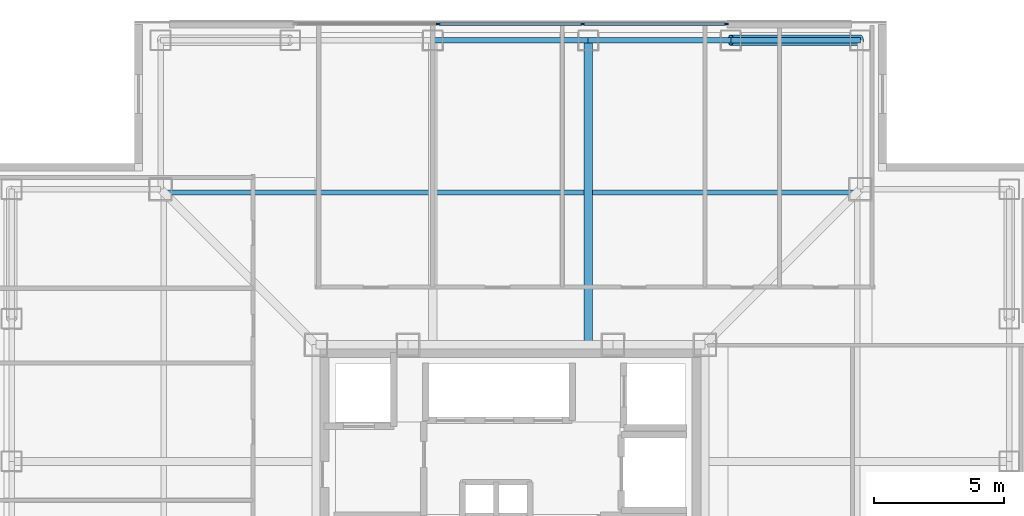
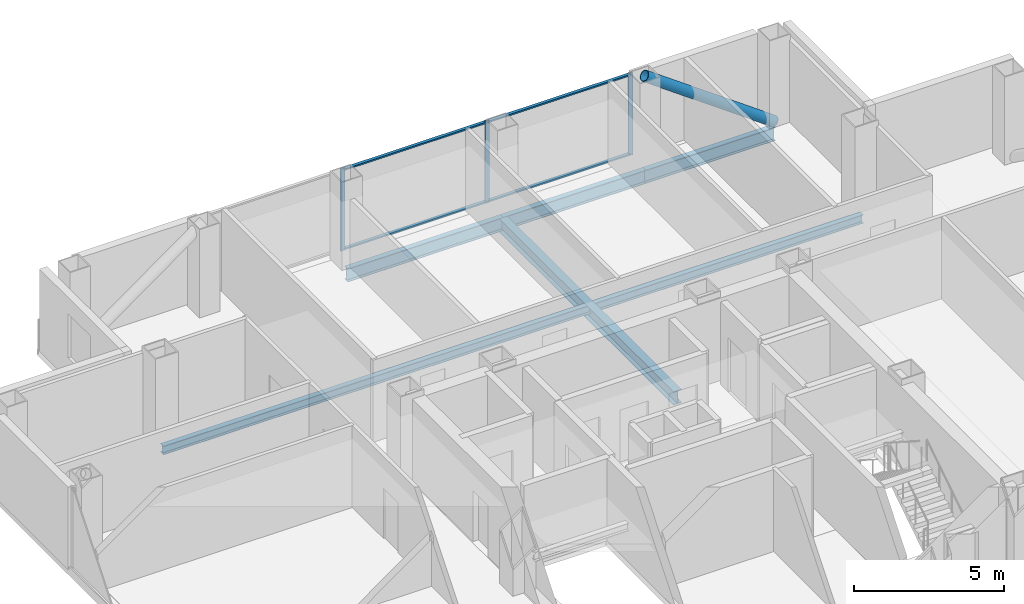
# One storey, part 8 of 17: 8 members, 5 beams, 1 element without a shape of its own.
"""IFC4 building model written with IfcOpenShell, lengths in metres."""

import ifcopenshell
import ifcopenshell.guid

model = None  # the IFC model being written
_history = None  # IfcOwnerHistory: only IFC2X3 demands one
_inside = {}  # id of a spatial element -> (the spatial element, [elements in it])
_under = {}  # id of a project, library or spatial element -> (it, [spatial elements below it])
_declared = {}  # id of a project -> (the project, [libraries it declares])
_typed = {}  # id of a type object -> (the type object, [elements of that type])
_made_of = {}  # id of a material, layer set ... -> (it, [elements and type objects made of it])


def new_model(schema):
    """Start an empty IFC model of exactly this schema.

    Asked for "IFC4X3", IfcOpenShell would pick the latest addendum, in which some entities
    have other attributes; the version numbers below select the first issue.
    IFC2X3 requires an IfcOwnerHistory on every rooted entity: one is made here for all.
    """
    global model, _history
    if schema == "IFC4X3":
        model = ifcopenshell.file(schema_version=(4, 3, 0, 0))
    else:
        model = ifcopenshell.file(schema=schema)
    _inside.clear()
    _under.clear()
    _declared.clear()
    _typed.clear()
    _made_of.clear()
    _history = None
    if model.schema == "IFC2X3":
        org = make("IfcOrganization", Name="unknown")
        user = make(
            "IfcPersonAndOrganization",
            ThePerson=make("IfcPerson", FamilyName="unknown"),
            TheOrganization=org,
        )
        app = make(
            "IfcApplication",
            ApplicationDeveloper=org,
            Version="unknown",
            ApplicationFullName="unknown",
            ApplicationIdentifier="unknown",
        )
        _history = make(
            "IfcOwnerHistory",
            OwningUser=user,
            OwningApplication=app,
            ChangeAction="ADDED",
            CreationDate=0,
        )
    return model


def make(cls, **values):
    """One entity of the class cls with the attributes given. An attribute that is None is left unset."""
    return model.create_entity(
        cls, **{name: value for name, value in values.items() if value is not None}
    )


def rooted(cls, **values):
    """An entity with a GlobalId (a new one), such as an element, a storey or a relation."""
    return make(cls, GlobalId=ifcopenshell.guid.new(), OwnerHistory=_history, **values)


def si_unit(unit_type, name, prefix=None):
    """IfcSIUnit, for example si_unit("LENGTHUNIT", "METRE", prefix="MILLI")."""
    return make("IfcSIUnit", UnitType=unit_type, Prefix=prefix, Name=name)


def assignment(units):
    """IfcUnitAssignment: the units of a project."""
    return None if units is None else make("IfcUnitAssignment", Units=units)


def point(xyz):
    """IfcCartesianPoint."""
    return None if xyz is None else make("IfcCartesianPoint", Coordinates=xyz)


def direction(xyz):
    """IfcDirection."""
    return None if xyz is None else make("IfcDirection", DirectionRatios=xyz)


def frame(location, z_axis=None, x_axis=None):
    """IfcAxis2Placement3D, a coordinate frame: its origin and axes. An axis left out is left unset."""
    return make(
        "IfcAxis2Placement3D",
        Location=point(location),
        Axis=direction(z_axis),
        RefDirection=direction(x_axis),
    )


def frame_2d(location, x_axis=None):
    """IfcAxis2Placement2D, a coordinate frame in the plane: its origin and x axis."""
    return make(
        "IfcAxis2Placement2D", Location=point(location), RefDirection=direction(x_axis)
    )


def origin():
    """The frame at (0, 0, 0) with its axes left unset."""
    return frame((0.0, 0.0, 0.0))


def origin_2d():
    """The frame at (0, 0) in the plane with its x axis left unset."""
    return frame_2d((0.0, 0.0))


def place(relative_to, where):
    """IfcLocalPlacement: puts the frame where relative to a parent placement (None: the world)."""
    return make(
        "IfcLocalPlacement", PlacementRelTo=relative_to, RelativePlacement=where
    )


def context(
    kind, dimensions, precision=None, world=None, true_north=None, identifier=None
):
    """IfcGeometricRepresentationContext, for example the 3D "Model" context."""
    return make(
        "IfcGeometricRepresentationContext",
        ContextIdentifier=identifier,
        ContextType=kind,
        CoordinateSpaceDimension=dimensions,
        Precision=precision,
        WorldCoordinateSystem=world,
        TrueNorth=true_north,
    )


def subcontext(parent, identifier, kind, view, scale=None):
    """IfcGeometricRepresentationSubContext, for example "Body" below "Model"."""
    return make(
        "IfcGeometricRepresentationSubContext",
        ContextIdentifier=identifier,
        ContextType=kind,
        ParentContext=parent,
        TargetScale=scale,
        TargetView=view,
    )


def project(units=None, contexts=None):
    """IfcProject with its units and contexts."""
    return rooted(
        "IfcProject",
        Name="project",
        RepresentationContexts=contexts,
        UnitsInContext=assignment(units),
    )


def spatial(cls, under=None, at=None, **own):
    """A site, building, storey or space (cls), placed at a placement, below another one or the project."""
    s = rooted(cls, ObjectPlacement=at, **own)
    if under is not None:
        _under.setdefault(under.id(), (under, []))[1].append(s)
    return s


def profile(cls, at=None, kind="AREA", **sizes):
    """A parametric profile (cls). Its sizes go by their IFC names, for example OverallWidth=200.0."""
    return make(cls, ProfileType=kind, Position=at, **sizes)


def rectangle(**sizes):
    """IfcRectangleProfileDef."""
    return profile("IfcRectangleProfileDef", **sizes)


def hollow_circle(**sizes):
    """IfcCircleHollowProfileDef."""
    return profile("IfcCircleHollowProfileDef", **sizes)


def i_section(**sizes):
    """IfcIShapeProfileDef."""
    return profile("IfcIShapeProfileDef", **sizes)


def extrude(swept, where, along, depth):
    """IfcExtrudedAreaSolid: the profile swept, set in the frame where, extruded along a direction by depth."""
    return make(
        "IfcExtrudedAreaSolid",
        SweptArea=swept,
        Position=where,
        ExtrudedDirection=direction(along),
        Depth=depth,
    )


def shape(context_of_items, identifier, shape_type, items):
    """IfcShapeRepresentation: the items that make up one representation, for example the "Body"."""
    return make(
        "IfcShapeRepresentation",
        ContextOfItems=context_of_items,
        RepresentationIdentifier=identifier,
        RepresentationType=shape_type,
        Items=items,
    )


def material(Name=None, Category=None):
    """IfcMaterial."""
    return make("IfcMaterial", Name=Name, Category=Category)


def layer(
    of_material, thickness, ventilated=None, Name=None, Category=None, Priority=None
):
    """IfcMaterialLayer: one layer of a wall or slab, of a material (None: an air gap)."""
    return make(
        "IfcMaterialLayer",
        Material=of_material,
        LayerThickness=thickness,
        IsVentilated=ventilated,
        Name=Name,
        Category=Category,
        Priority=Priority,
    )


def layer_set(layers, Name=None):
    """IfcMaterialLayerSet."""
    return make("IfcMaterialLayerSet", MaterialLayers=layers, LayerSetName=Name)


def material_profile(
    of_material, cross_section, Name=None, Category=None, Priority=None
):
    """IfcMaterialProfile: a cross section and its material."""
    return make(
        "IfcMaterialProfile",
        Name=Name,
        Material=of_material,
        Profile=cross_section,
        Priority=Priority,
        Category=Category,
    )


def profile_set(profiles, Name=None, composite=None):
    """IfcMaterialProfileSet."""
    return make(
        "IfcMaterialProfileSet",
        Name=Name,
        MaterialProfiles=profiles,
        CompositeProfile=composite,
    )


def made_of(thing, what):
    """Note that an element or type object is made of a material, layer set ...; save() writes the relation."""
    if what is not None:
        _made_of.setdefault(what.id(), (what, []))[1].append(thing)
    return thing


def type_object(cls, material=None, **own):
    """A type object (cls), such as IfcWallType, which elements share."""
    return made_of(rooted(cls, **own), material)


def element(
    cls,
    number,
    at=None,
    inside=None,
    cuts=None,
    type_object=None,
    material=None,
    context=None,
    identifier="Body",
    shape_type=None,
    held_by="IfcProductDefinitionShape",
    body=None,
    shapes=None,
    **own,
):
    """One element of the class cls, such as IfcWall. Its Tag is "e" and its number.

    at: its placement. inside: the storey or other place that contains it. cuts: it is an
    opening in that element (IfcRelVoidsElement). A single representation is given by context,
    identifier, shape_type and body (its items); several are given by shapes. held_by: the class
    of the entity that holds the representations. save() writes the other relations.
    """
    e = rooted(cls, Tag="e%d" % number, ObjectPlacement=at, **own)
    if body is not None:
        shapes = [shape(context, identifier, shape_type, body)]
    if shapes is not None:
        e.Representation = make(held_by, Representations=shapes)
    if inside is not None:
        _inside.setdefault(inside.id(), (inside, []))[1].append(e)
    if cuts is not None:
        rooted(
            "IfcRelVoidsElement", RelatingBuildingElement=cuts, RelatedOpeningElement=e
        )
    if type_object is not None:
        _typed.setdefault(type_object.id(), (type_object, []))[1].append(e)
    return made_of(e, material)


def aggregate(whole, parts):
    """IfcRelAggregates: a whole, such as a stair, and the parts it consists of."""
    return rooted("IfcRelAggregates", RelatingObject=whole, RelatedObjects=parts)


def save(model, path):
    """Write the relations noted so far, then the file.

    IfcRelAggregates (storeys below a building ...), IfcRelContainedInSpatialStructure (elements
    in a storey), IfcRelDefinesByType, IfcRelAssociatesMaterial and IfcRelDeclares: one each for
    every whole, place, type object, material and project.
    """
    for whole, parts in _under.values():
        aggregate(whole, parts)
    for where, things in _inside.values():
        rooted(
            "IfcRelContainedInSpatialStructure",
            RelatedElements=things,
            RelatingStructure=where,
        )
    for kind, things in _typed.values():
        rooted("IfcRelDefinesByType", RelatedObjects=things, RelatingType=kind)
    for what, things in _made_of.values():
        rooted("IfcRelAssociatesMaterial", RelatedObjects=things, RelatingMaterial=what)
    for by, libraries in _declared.values():
        rooted("IfcRelDeclares", RelatingContext=by, RelatedDefinitions=libraries)
    model.write(path)


model = new_model("IFC4")

# Units and contexts
model_context = context("Model", 3, precision=1e-05, world=origin(), true_north=direction((0.0, 1.0)))
body_context = subcontext(model_context, "Body", "Model", "MODEL_VIEW")
ifc_project = project(units=[si_unit("LENGTHUNIT", "METRE"), si_unit("AREAUNIT", "SQUARE_METRE"), si_unit("VOLUMEUNIT", "CUBIC_METRE"), si_unit("PLANEANGLEUNIT", "RADIAN"), si_unit("MASSUNIT", "GRAM", prefix="KILO")], contexts=[model_context])

# Site, building, storey
site_placement = place(None, origin())
site = spatial("IfcSite", under=ifc_project, at=site_placement, CompositionType="ELEMENT")
building_placement = place(site_placement, origin())
building = spatial("IfcBuilding", under=site, at=building_placement, Name="Trevonay Congress Spire", CompositionType="ELEMENT")
storey_placement = place(building_placement, frame((0.0, 0.0, 169.800048828125)))
storey = spatial("IfcBuildingStorey", under=building, at=storey_placement, Name="L43", CompositionType="ELEMENT", Elevation=169.800048828125)

# Beams
ifc_material_1 = material(Name="Steel ASTM A572 Grade 50", Category="steel")
ifc_material_profile_1 = material_profile(ifc_material_1, i_section(OverallWidth=0.31201171875, OverallDepth=0.54296875, WebThickness=0.0126953125, FlangeThickness=0.020263671875, FilletRadius=0.014892578125, at=origin_2d()), Name="W530x150")
ifc_profile_set_1 = profile_set([ifc_material_profile_1], Name="Steel ASTM A572 Grade 50")
beam_type_1 = type_object("IfcBeamType", Name="BM-GIRD-W530X150", PredefinedType="BEAM", material=ifc_profile_set_1)
beam_1_placement = place(storey_placement, frame((3.0, 7.5, -0.511474609375), z_axis=(0.0, 1.0, 0.0), x_axis=(-1.0, 0.0, 0.0)))
element("IfcBeam", 1, at=beam_1_placement, inside=storey, type_object=beam_type_1, Name="L43 structural beam BM-L43-GN-P", PredefinedType="BEAM", context=body_context, shape_type="SweptSolid", body=[
    extrude(i_section(OverallWidth=0.31201171875, OverallDepth=0.54296875, WebThickness=0.0126953125, FlangeThickness=0.020263671875, FilletRadius=0.014892578125, at=origin_2d()), origin(), (0.0, 0.0, 1.0), 11.75),
])
ifc_material_profile_2 = material_profile(ifc_material_1, i_section(OverallWidth=0.2119140625, OverallDepth=0.5439453125, WebThickness=0.01318359375, FlangeThickness=0.021240234375, FilletRadius=0.014892578125, at=origin_2d()), Name="W530x123")
ifc_profile_set_2 = profile_set([ifc_material_profile_2], Name="Steel ASTM A572 Grade 50")
beam_type_2 = type_object("IfcBeamType", Name="BM-RING-W530X123", PredefinedType="BEAM", material=ifc_profile_set_2)
beam_2_placement = place(storey_placement, frame((-3.0, 19.25, -0.511962890625), z_axis=(1.0, 0.0, 0.0), x_axis=(0.0, 1.0, 0.0)))
element("IfcBeam", 2, at=beam_2_placement, inside=storey, type_object=beam_type_2, Name="L43 structural beam BM-L43-PN3", PredefinedType="BEAM", context=body_context, shape_type="SweptSolid", body=[
    extrude(i_section(OverallWidth=0.2119140625, OverallDepth=0.5439453125, WebThickness=0.01318359375, FlangeThickness=0.021240234375, FilletRadius=0.014892578125, at=origin_2d()), origin(), (0.0, 0.0, 1.0), 6.0),
])
beam_3_placement = place(storey_placement, frame((3.0, 19.25, -0.511962890625), z_axis=(1.0, 0.0, 0.0), x_axis=(0.0, 1.0, 0.0)))
element("IfcBeam", 3, at=beam_3_placement, inside=storey, type_object=beam_type_2, Name="L43 structural beam BM-L43-PN4", PredefinedType="BEAM", context=body_context, shape_type="SweptSolid", body=[
    extrude(i_section(OverallWidth=0.2119140625, OverallDepth=0.5439453125, WebThickness=0.01318359375, FlangeThickness=0.021240234375, FilletRadius=0.014892578125, at=origin_2d()), origin(), (0.0, 0.0, 1.0), 5.5),
])
beam_4_placement = place(storey_placement, frame((8.5, 19.25, -0.511962890625), z_axis=(1.0, 0.0, 0.0), x_axis=(0.0, 1.0, 0.0)))
element("IfcBeam", 4, at=beam_4_placement, inside=storey, type_object=beam_type_2, Name="L43 structural beam BM-L43-PN5", PredefinedType="BEAM", context=body_context, shape_type="SweptSolid", body=[
    extrude(i_section(OverallWidth=0.2119140625, OverallDepth=0.5439453125, WebThickness=0.01318359375, FlangeThickness=0.021240234375, FilletRadius=0.014892578125, at=origin_2d()), origin(), (0.0, 0.0, 1.0), 5.0),
])

# Curtain wall, members
ifc_material_2 = material(Name="Pale Anodised Aluminium EN AW-6063-T6", Category="aluminium")
ifc_layer = layer(ifc_material_2, 0.169921875, Name="Pale Anodised Aluminium EN AW-6063-T6")
ifc_layer_set = layer_set([ifc_layer], Name="Pale Anodised Aluminium EN AW-6063-T6")
curtain_wall_type = type_object("IfcCurtainWallType", Name="CW-SYS04-CORP-PALE-METAL", PredefinedType="NOTDEFINED", material=ifc_layer_set)
curtain_wall_placement = place(storey_placement, origin())
curtain_wall = element("IfcCurtainWall", 5, at=curtain_wall_placement, inside=storey, type_object=curtain_wall_type, Name="L43 N unitised curtain wall", PredefinedType="NOTDEFINED")
ifc_material_profile_3 = material_profile(ifc_material_2, rectangle(XDim=0.06005859375, YDim=0.159912109375, at=origin_2d()), Name="CW-MULLION-160-ALUMINIUM")
ifc_profile_set_3 = profile_set([ifc_material_profile_3], Name="Pale Anodised Aluminium EN AW-6063-T6")
member_type_1 = type_object("IfcMemberType", Name="CW-MULLION-160-ALUMINIUM", PredefinedType="MULLION", material=ifc_profile_set_3)
member_1_placement = place(storey_placement, frame((-2.783447265625, 19.8798828125, 0.0), z_axis=(0.0, 0.0, 1.0), x_axis=(0.0, 1.0, 0.0)))
member_1 = element("IfcMember", 6, at=member_1_placement, type_object=member_type_1, Name="CW04 mullion 2", PredefinedType="MULLION", context=body_context, shape_type="SweptSolid", body=[
    extrude(rectangle(XDim=0.06005859375, YDim=0.159912109375, at=origin_2d()), origin(), (0.0, 0.0, 1.0), 3.35986328125),
])
member_2_placement = place(storey_placement, frame((2.783447265625, 19.8798828125, 0.0), z_axis=(0.0, 0.0, 1.0), x_axis=(0.0, 1.0, 0.0)))
member_2 = element("IfcMember", 7, at=member_2_placement, type_object=member_type_1, Name="CW04 mullion 3", PredefinedType="MULLION", context=body_context, shape_type="SweptSolid", body=[
    extrude(rectangle(XDim=0.06005859375, YDim=0.159912109375, at=origin_2d()), origin(), (0.0, 0.0, 1.0), 3.35986328125),
])
member_3_placement = place(storey_placement, frame((8.320068359375, 19.8798828125, 0.0), z_axis=(0.0, 0.0, 1.0), x_axis=(0.0, 1.0, 0.0)))
member_3 = element("IfcMember", 8, at=member_3_placement, type_object=member_type_1, Name="CW04 mullion 4", PredefinedType="MULLION", context=body_context, shape_type="SweptSolid", body=[
    extrude(rectangle(XDim=0.06005859375, YDim=0.159912109375, at=origin_2d()), origin(), (0.0, 0.0, 1.0), 3.35986328125),
])
ifc_material_profile_4 = material_profile(ifc_material_2, rectangle(XDim=0.1201171875, YDim=0.06005859375, at=origin_2d()), Name="CW-TRANSOM-120-ALUMINIUM")
ifc_profile_set_4 = profile_set([ifc_material_profile_4], Name="Pale Anodised Aluminium EN AW-6063-T6")
member_type_2 = type_object("IfcMemberType", Name="CW-TRANSOM-120-ALUMINIUM", PredefinedType="USERDEFINED", material=ifc_profile_set_4)
member_4_placement = place(storey_placement, frame((-2.75341796875, 19.8798828125, 0.06005859375), z_axis=(1.0, 0.0, 0.0), x_axis=(0.0, 1.0, 0.0)))
member_4 = element("IfcMember", 9, at=member_4_placement, type_object=member_type_2, Name="CW04 transom 2.1", ObjectType="TRANSOM", PredefinedType="USERDEFINED", context=body_context, shape_type="SweptSolid", body=[
    extrude(rectangle(XDim=0.1201171875, YDim=0.06005859375, at=origin_2d()), origin(), (0.0, 0.0, 1.0), 5.5068359375),
])
member_5_placement = place(storey_placement, frame((-2.75341796875, 19.8798828125, 3.300048828125), z_axis=(1.0, 0.0, 0.0), x_axis=(0.0, 1.0, 0.0)))
member_5 = element("IfcMember", 10, at=member_5_placement, type_object=member_type_2, Name="CW04 transom 2.2", ObjectType="TRANSOM", PredefinedType="USERDEFINED", context=body_context, shape_type="SweptSolid", body=[
    extrude(rectangle(XDim=0.1201171875, YDim=0.06005859375, at=origin_2d()), origin(), (0.0, 0.0, 1.0), 5.5068359375),
])
member_6_placement = place(storey_placement, frame((2.813232421875, 19.8798828125, 0.06005859375), z_axis=(1.0, 0.0, 0.0), x_axis=(0.0, 1.0, 0.0)))
member_6 = element("IfcMember", 11, at=member_6_placement, type_object=member_type_2, Name="CW04 transom 3.1", ObjectType="TRANSOM", PredefinedType="USERDEFINED", context=body_context, shape_type="SweptSolid", body=[
    extrude(rectangle(XDim=0.1201171875, YDim=0.06005859375, at=origin_2d()), origin(), (0.0, 0.0, 1.0), 5.476806640625),
])
member_7_placement = place(storey_placement, frame((2.813232421875, 19.8798828125, 3.300048828125), z_axis=(1.0, 0.0, 0.0), x_axis=(0.0, 1.0, 0.0)))
member_7 = element("IfcMember", 12, at=member_7_placement, type_object=member_type_2, Name="CW04 transom 3.2", ObjectType="TRANSOM", PredefinedType="USERDEFINED", context=body_context, shape_type="SweptSolid", body=[
    extrude(rectangle(XDim=0.1201171875, YDim=0.06005859375, at=origin_2d()), origin(), (0.0, 0.0, 1.0), 5.476806640625),
])
aggregate(curtain_wall, [member_1, member_2, member_3, member_4, member_5, member_6, member_7])

# Beam
ifc_material_profile_5 = material_profile(ifc_material_1, i_section(OverallWidth=0.205078125, OverallDepth=0.35400390625, WebThickness=0.009521484375, FlangeThickness=0.016845703125, FilletRadius=0.011962890625, at=origin_2d()), Name="W360x79")
ifc_profile_set_5 = profile_set([ifc_material_profile_5], Name="Steel ASTM A572 Grade 50")
beam_type_3 = type_object("IfcBeamType", Name="JS-COMP-W360X79", PredefinedType="JOIST", material=ifc_profile_set_5)
beam_5_placement = place(storey_placement, frame((-13.5, 13.375, -0.4169921875), z_axis=(1.0, 0.0, 0.0), x_axis=(0.0, 1.0, 0.0)))
element("IfcBeam", 13, at=beam_5_placement, inside=storey, type_object=beam_type_3, Name="L43 structural beam JS-L43-RING-N", PredefinedType="JOIST", context=body_context, shape_type="SweptSolid", body=[
    extrude(i_section(OverallWidth=0.205078125, OverallDepth=0.35400390625, WebThickness=0.009521484375, FlangeThickness=0.016845703125, FilletRadius=0.011962890625, at=origin_2d()), origin(), (0.0, 0.0, 1.0), 27.0),
])

# Member
ifc_material_3 = material(Name="Steel ASTM A500 Grade C", Category="steel")
ifc_material_profile_6 = material_profile(ifc_material_3, hollow_circle(Radius=0.203125, WallThickness=0.02001953125, at=origin_2d()), Name="CHS 406.4x20")
ifc_profile_set_6 = profile_set([ifc_material_profile_6], Name="Steel ASTM A500 Grade C")
member_type_3 = type_object("IfcMemberType", Name="MBR-TUBE-CHS406", PredefinedType="BRACE", material=ifc_profile_set_6)
member_8_placement = place(storey_placement, frame((13.5, 19.25, -0.050048828125), z_axis=(-0.811526825515, 0.0, 0.584315164504), x_axis=(0.0, -1.0, 0.0)))
element("IfcMember", 14, at=member_8_placement, inside=storey, type_object=member_type_3, Name="L43 perimeter braced-tube diagonal N4", PredefinedType="BRACE", context=body_context, shape_type="SweptSolid", body=[
    extrude(hollow_circle(Radius=0.203125, WallThickness=0.02001953125, at=origin_2d()), origin(), (0.0, 0.0, 1.0), 6.1611328125),
])

save(model, "model.ifc")
